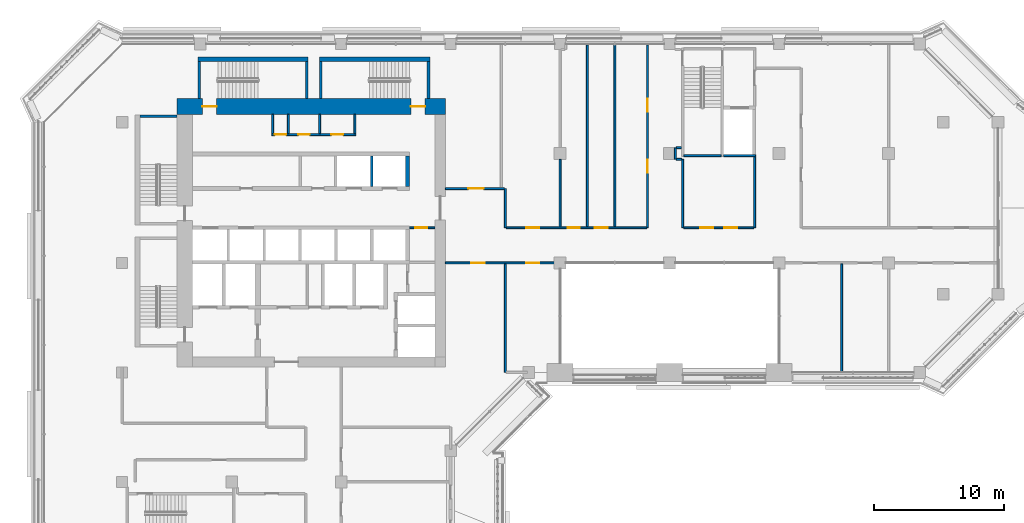
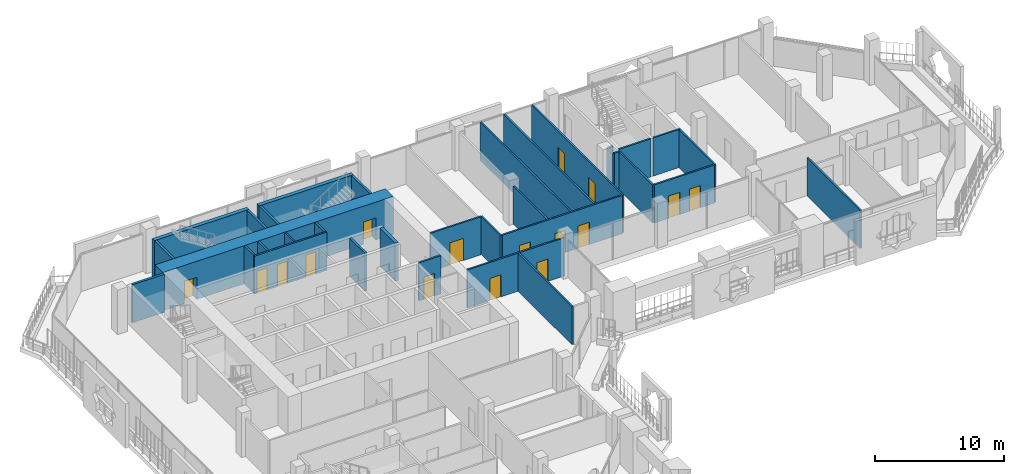
# One storey, part 14 of 23: 34 walls, 16 doors, 16 openings.
"""IFC4 building model written with IfcOpenShell, lengths in metres."""

from ifc_helpers import new_model, si_unit, direction, frame, frame_2d, origin, place, context, subcontext, project, spatial, rectangle, extrude, material, layer, layer_set, type_object, element, fill, save


model = new_model("IFC4")

# Units and contexts
model_context = context("Model", 3, precision=1e-05, world=origin(), true_north=direction((0.0, 1.0)))
body_context = subcontext(model_context, "Body", "Model", "MODEL_VIEW")
ifc_project = project(units=[si_unit("LENGTHUNIT", "METRE"), si_unit("AREAUNIT", "SQUARE_METRE"), si_unit("VOLUMEUNIT", "CUBIC_METRE"), si_unit("PLANEANGLEUNIT", "RADIAN"), si_unit("MASSUNIT", "GRAM", prefix="KILO")], contexts=[model_context])

# Site, building, storey
site_placement = place(None, origin())
site = spatial("IfcSite", under=ifc_project, at=site_placement, CompositionType="ELEMENT")
building_placement = place(site_placement, origin())
building = spatial("IfcBuilding", under=site, at=building_placement, Name="Kawkab Arch Medical Tower", CompositionType="ELEMENT")
storey_placement = place(building_placement, frame((0.0, 0.0, 222.199951171875)))
storey = spatial("IfcBuildingStorey", under=building, at=storey_placement, Name="L51", CompositionType="ELEMENT", Elevation=222.199951171875)

# Wall, openings, doors
ifc_material_1 = material(Name="Concrete C50/60", Category="concrete")
ifc_layer_1 = layer(ifc_material_1, 1.199951171875)
ifc_layer_set_1 = layer_set([ifc_layer_1], Name="Concrete C50/60")
wall_type_1 = type_object("IfcWallType", Name="Core ring wall 1200 C50/60", PredefinedType="SHEAR", material=ifc_layer_set_1)
wall_1_placement = place(storey_placement, frame((4.199951171875, -4.800048828125, 0.0), z_axis=(0.0, 0.0, 1.0), x_axis=(1.0, 0.0, 0.0)))
wall_1 = element("IfcWall", 1, at=wall_1_placement, inside=storey, type_object=wall_type_1, Name="L51 core wall", PredefinedType="SHEAR", context=body_context, shape_type="SweptSolid", body=[
    extrude(rectangle(XDim=20.60009765625, YDim=1.199951171875, at=frame_2d((10.300048828125, 0.0))), origin(), (0.0, 0.0, 1.0), 3.60009765625),
])
opening_1_placement = place(wall_1_placement, frame((1.949951171875, 0.0, 0.0)))
opening_1 = element("IfcOpeningElement", 2, at=opening_1_placement, cuts=wall_1, Name="Opening SD", PredefinedType="OPENING", context=body_context, shape_type="SweptSolid", body=[
    extrude(rectangle(XDim=1.10009765625, YDim=2.10009765625, at=frame_2d((0.550048828125, 1.050048828125))), frame((0.0, 0.60986328125, 0.0), z_axis=(0.0, -1.0, 0.0), x_axis=(1.0, 0.0, 0.0)), (0.0, 0.0, 1.0), 1.219970703125),
])
opening_2_placement = place(wall_1_placement, frame((17.949951171875, 0.0, 0.0)))
opening_2 = element("IfcOpeningElement", 3, at=opening_2_placement, cuts=wall_1, Name="Opening SD", PredefinedType="OPENING", context=body_context, shape_type="SweptSolid", body=[
    extrude(rectangle(XDim=1.10009765625, YDim=2.10009765625, at=frame_2d((0.550048828125, 1.050048828125))), frame((0.0, 0.60986328125, 0.0), z_axis=(0.0, -1.0, 0.0), x_axis=(1.0, 0.0, 0.0)), (0.0, 0.0, 1.0), 1.219970703125),
])
ifc_material_2 = material(Name="Hollow metal fire door leaf")
door_type_1 = type_object("IfcDoorType", Name="Exit stair door 1100", OperationType="SINGLE_SWING_LEFT", PredefinedType="DOOR", material=ifc_material_2)
door_1_placement = place(opening_1_placement, origin())
door_1 = element("IfcDoor", 4, at=door_1_placement, inside=storey, type_object=door_type_1, Name="L51 Exit stair ST3 door", OperationType="SINGLE_SWING_LEFT", OverallHeight=2.10009765625, OverallWidth=1.10009765625, PredefinedType="DOOR", context=body_context, shape_type="SweptSolid", body=[
    extrude(rectangle(XDim=1.10009765625, YDim=2.10009765625, at=frame_2d((0.550048828125, 1.050048828125))), frame((0.0, 0.02490234375, 0.0), z_axis=(0.0, -1.0, 0.0), x_axis=(1.0, 0.0, 0.0)), (0.0, 0.0, 1.0), 0.050048828125),
])
fill(opening_1, door_1)
door_2_placement = place(opening_2_placement, origin())
door_2 = element("IfcDoor", 5, at=door_2_placement, inside=storey, type_object=door_type_1, Name="L51 Exit stair ST4 door", OperationType="SINGLE_SWING_LEFT", OverallHeight=2.10009765625, OverallWidth=1.10009765625, PredefinedType="DOOR", context=body_context, shape_type="SweptSolid", body=[
    extrude(rectangle(XDim=1.10009765625, YDim=2.10009765625, at=frame_2d((0.550048828125, 1.050048828125))), frame((0.0, 0.02490234375, 0.0), z_axis=(0.0, -1.0, 0.0), x_axis=(1.0, 0.0, 0.0)), (0.0, 0.0, 1.0), 0.050048828125),
])
fill(opening_2, door_2)

# Wall, opening, door
ifc_material_3 = material(Name="Gypsum board on steel studs", Category="steel")
ifc_layer_2 = layer(ifc_material_3, 0.14990234375)
ifc_layer_set_2 = layer_set([ifc_layer_2], Name="Gypsum board on steel studs")
wall_type_2 = type_object("IfcWallType", Name="Core room partition 150", PredefinedType="PARTITIONING", material=ifc_layer_set_2)
wall_2_placement = place(storey_placement, frame((22.050048828125, -14.10009765625, 0.0), z_axis=(0.0, 0.0, 1.0), x_axis=(1.0, 0.0, 0.0)))
wall_2 = element("IfcWall", 6, at=wall_2_placement, inside=storey, type_object=wall_type_2, Name="L51 core room partition", PredefinedType="PARTITIONING", context=body_context, shape_type="SweptSolid", body=[
    extrude(rectangle(XDim=1.949951171875, YDim=0.14990234375, at=frame_2d((0.97509765625, 0.0))), origin(), (0.0, 0.0, 1.0), 3.60009765625),
])
opening_3_placement = place(wall_2_placement, frame((0.449951171875, 0.0, 0.0)))
opening_3 = element("IfcOpeningElement", 7, at=opening_3_placement, cuts=wall_2, Name="Opening RD", PredefinedType="OPENING", context=body_context, shape_type="SweptSolid", body=[
    extrude(rectangle(XDim=0.89990234375, YDim=2.10009765625, at=frame_2d((0.449951171875, 1.050048828125))), frame((0.0, 0.0849609375, 0.0), z_axis=(0.0, -1.0, 0.0), x_axis=(1.0, 0.0, 0.0)), (0.0, 0.0, 1.0), 0.169921875),
])
ifc_material_4 = material(Name="Hollow metal fire door leaf")
door_type_2 = type_object("IfcDoorType", Name="Core room door 900", OperationType="SINGLE_SWING_LEFT", PredefinedType="DOOR", material=ifc_material_4)
door_3_placement = place(opening_3_placement, origin())
door_3 = element("IfcDoor", 8, at=door_3_placement, inside=storey, type_object=door_type_2, Name="L51 Comms room door", OperationType="SINGLE_SWING_LEFT", OverallHeight=2.10009765625, OverallWidth=0.89990234375, PredefinedType="DOOR", context=body_context, shape_type="SweptSolid", body=[
    extrude(rectangle(XDim=0.89990234375, YDim=2.10009765625, at=frame_2d((0.449951171875, 1.050048828125))), frame((0.0, 0.02490234375, 0.0), z_axis=(0.0, -1.0, 0.0), x_axis=(1.0, 0.0, 0.0)), (0.0, 0.0, 1.0), 0.050048828125),
])
fill(opening_3, door_3)

# Wall, openings, doors
wall_3_placement = place(storey_placement, frame((11.47509765625, -6.949951171875, 0.0), z_axis=(0.0, 0.0, 1.0), x_axis=(1.0, 0.0, 0.0)))
wall_3 = element("IfcWall", 9, at=wall_3_placement, inside=storey, type_object=wall_type_2, Name="L51 core room partition", PredefinedType="PARTITIONING", context=body_context, shape_type="SweptSolid", body=[
    extrude(rectangle(XDim=6.449951171875, YDim=0.14990234375, at=frame_2d((3.22509765625, 0.0))), origin(), (0.0, 0.0, 1.0), 3.60009765625),
])
opening_4_placement = place(wall_3_placement, frame((0.22509765625, 0.0, 0.0)))
opening_4 = element("IfcOpeningElement", 10, at=opening_4_placement, cuts=wall_3, Name="Opening RD", PredefinedType="OPENING", context=body_context, shape_type="SweptSolid", body=[
    extrude(rectangle(XDim=0.89990234375, YDim=2.10009765625, at=frame_2d((0.449951171875, 1.050048828125))), frame((0.0, 0.0849609375, 0.0), z_axis=(0.0, -1.0, 0.0), x_axis=(1.0, 0.0, 0.0)), (0.0, 0.0, 1.0), 0.169921875),
])
opening_5_placement = place(wall_3_placement, frame((2.02490234375, 0.0, 0.0)))
opening_5 = element("IfcOpeningElement", 11, at=opening_5_placement, cuts=wall_3, Name="Opening RD", PredefinedType="OPENING", context=body_context, shape_type="SweptSolid", body=[
    extrude(rectangle(XDim=0.89990234375, YDim=2.10009765625, at=frame_2d((0.449951171875, 1.050048828125))), frame((0.0, 0.0849609375, 0.0), z_axis=(0.0, -1.0, 0.0), x_axis=(1.0, 0.0, 0.0)), (0.0, 0.0, 1.0), 0.169921875),
])
opening_6_placement = place(wall_3_placement, frame((4.574951171875, 0.0, 0.0)))
opening_6 = element("IfcOpeningElement", 12, at=opening_6_placement, cuts=wall_3, Name="Opening RD", PredefinedType="OPENING", context=body_context, shape_type="SweptSolid", body=[
    extrude(rectangle(XDim=0.89990234375, YDim=2.10009765625, at=frame_2d((0.449951171875, 1.050048828125))), frame((0.0, 0.0849609375, 0.0), z_axis=(0.0, -1.0, 0.0), x_axis=(1.0, 0.0, 0.0)), (0.0, 0.0, 1.0), 0.169921875),
])
door_4_placement = place(opening_4_placement, origin())
door_4 = element("IfcDoor", 13, at=door_4_placement, inside=storey, type_object=door_type_2, Name="L51 Electrical riser room door", OperationType="SINGLE_SWING_LEFT", OverallHeight=2.10009765625, OverallWidth=0.89990234375, PredefinedType="DOOR", context=body_context, shape_type="SweptSolid", body=[
    extrude(rectangle(XDim=0.89990234375, YDim=2.10009765625, at=frame_2d((0.449951171875, 1.050048828125))), frame((0.0, 0.02490234375, 0.0), z_axis=(0.0, -1.0, 0.0), x_axis=(1.0, 0.0, 0.0)), (0.0, 0.0, 1.0), 0.050048828125),
])
fill(opening_4, door_4)
door_5_placement = place(opening_5_placement, origin())
door_5 = element("IfcDoor", 14, at=door_5_placement, inside=storey, type_object=door_type_2, Name="L51 Linen store door", OperationType="SINGLE_SWING_LEFT", OverallHeight=2.10009765625, OverallWidth=0.89990234375, PredefinedType="DOOR", context=body_context, shape_type="SweptSolid", body=[
    extrude(rectangle(XDim=0.89990234375, YDim=2.10009765625, at=frame_2d((0.449951171875, 1.050048828125))), frame((0.0, 0.02490234375, 0.0), z_axis=(0.0, -1.0, 0.0), x_axis=(1.0, 0.0, 0.0)), (0.0, 0.0, 1.0), 0.050048828125),
])
fill(opening_5, door_5)
door_6_placement = place(opening_6_placement, origin())
door_6 = element("IfcDoor", 15, at=door_6_placement, inside=storey, type_object=door_type_2, Name="L51 Clean utility room door", OperationType="SINGLE_SWING_LEFT", OverallHeight=2.10009765625, OverallWidth=0.89990234375, PredefinedType="DOOR", context=body_context, shape_type="SweptSolid", body=[
    extrude(rectangle(XDim=0.89990234375, YDim=2.10009765625, at=frame_2d((0.449951171875, 1.050048828125))), frame((0.0, 0.02490234375, 0.0), z_axis=(0.0, -1.0, 0.0), x_axis=(1.0, 0.0, 0.0)), (0.0, 0.0, 1.0), 0.050048828125),
])
fill(opening_6, door_6)

# Walls
for number, where, z_axis, x_axis, name in (
    (16, (11.550048828125, -6.875, 0.0), (0.0, 0.0, 1.0), (0.0, 1.0, 0.0), "L51 core room partition"),
    (17, (12.75, -6.875, 0.0), (0.0, 0.0, 1.0), (0.0, 1.0, 0.0), "L51 core room partition"),
    (18, (15.14990234375, -6.875, 0.0), (0.0, 0.0, 1.0), (0.0, 1.0, 0.0), "L51 core room partition"),
    (19, (17.85009765625, -6.875, 0.0), (0.0, 0.0, 1.0), (0.0, 1.0, 0.0), "L51 core room partition"),
):
    element("IfcWall", number, at=place(storey_placement, frame(where, z_axis=z_axis, x_axis=x_axis)), inside=storey, type_object=wall_type_2, Name=name, PredefinedType="PARTITIONING", context=body_context, shape_type="SweptSolid", body=[
        extrude(rectangle(XDim=1.47509765625, YDim=0.14990234375, at=frame_2d((0.737548828125, 0.0))), origin(), (0.0, 0.0, 1.0), 3.60009765625),
    ])
ifc_material_5 = material(Name="Concrete C60/75", Category="concrete")
ifc_layer_3 = layer(ifc_material_5, 0.300048828125)
ifc_layer_set_3 = layer_set([ifc_layer_3], Name="Concrete C60/75")
wall_type_3 = type_object("IfcWallType", Name="Core shear wall 300 C60/75", PredefinedType="SHEAR", material=ifc_layer_set_3)
wall_4_placement = place(storey_placement, frame((21.89990234375, -10.949951171875, 0.0), z_axis=(0.0, 0.0, 1.0), x_axis=(0.0, 1.0, 0.0)))
element("IfcWall", 20, at=wall_4_placement, inside=storey, type_object=wall_type_3, Name="L51 core shear wall", PredefinedType="SHEAR", context=body_context, shape_type="SweptSolid", body=[
    extrude(rectangle(XDim=2.349853515625, YDim=0.300048828125, at=frame_2d((1.1748046875, 0.0))), origin(), (0.0, 0.0, 1.0), 3.60009765625),
])
ifc_material_6 = material(Name="Dense concrete blockwork", Category="masonry")
ifc_layer_4 = layer(ifc_material_6, 0.199951171875)
ifc_layer_set_4 = layer_set([ifc_layer_4], Name="Dense concrete blockwork")
wall_type_4 = type_object("IfcWallType", Name="Lift shaft partition 200", PredefinedType="PARTITIONING", material=ifc_layer_set_4)
wall_5_placement = place(storey_placement, frame((19.14990234375, -10.949951171875, 0.0), z_axis=(0.0, 0.0, 1.0), x_axis=(0.0, 1.0, 0.0)))
element("IfcWall", 21, at=wall_5_placement, inside=storey, type_object=wall_type_4, Name="L51 lift shaft partition", PredefinedType="PARTITIONING", context=body_context, shape_type="SweptSolid", body=[
    extrude(rectangle(XDim=2.349853515625, YDim=0.199951171875, at=frame_2d((1.1748046875, 0.0))), origin(), (0.0, 0.0, 1.0), 3.60009765625),
])

# Wall, openings, doors
ifc_material_7 = material(Name="Gypsum board partition on steel studs, mineral wool", Category="steel")
ifc_layer_5 = layer(ifc_material_7, 0.14990234375)
ifc_layer_set_5 = layer_set([ifc_layer_5], Name="Gypsum board partition on steel studs, mineral wool")
wall_type_5 = type_object("IfcWallType", Name="Partition 150", PredefinedType="PARTITIONING", material=ifc_layer_set_5)
wall_6_placement = place(storey_placement, frame((24.800048828125, -16.800048828125, 0.0), z_axis=(0.0, 0.0, 1.0), x_axis=(1.0, 0.0, 0.0)))
wall_6 = element("IfcWall", 22, at=wall_6_placement, inside=storey, type_object=wall_type_5, Name="Partition 150 w013", PredefinedType="PARTITIONING", context=body_context, shape_type="SweptSolid", body=[
    extrude(rectangle(XDim=8.719970703125, YDim=0.14990234375, at=frame_2d((4.35986328125, 0.0))), origin(), (0.0, 0.0, 1.0), 3.60009765625),
])
opening_7_placement = place(wall_6_placement, frame((2.0, 0.0, 0.0)))
opening_7 = element("IfcOpeningElement", 23, at=opening_7_placement, cuts=wall_6, Name="Opening B51-003", PredefinedType="OPENING", context=body_context, shape_type="SweptSolid", body=[
    extrude(rectangle(XDim=1.0, YDim=2.10009765625, at=frame_2d((0.5, 1.050048828125))), frame((0.0, 0.0849609375, 0.0), z_axis=(0.0, -1.0, 0.0), x_axis=(1.0, 0.0, 0.0)), (0.0, 0.0, 1.0), 0.169921875),
])
opening_8_placement = place(wall_6_placement, frame((6.199951171875, 0.0, 0.0)))
opening_8 = element("IfcOpeningElement", 24, at=opening_8_placement, cuts=wall_6, Name="Opening B51-011", PredefinedType="OPENING", context=body_context, shape_type="SweptSolid", body=[
    extrude(rectangle(XDim=1.0, YDim=2.10009765625, at=frame_2d((0.5, 1.050048828125))), frame((0.0, 0.0849609375, 0.0), z_axis=(0.0, -1.0, 0.0), x_axis=(1.0, 0.0, 0.0)), (0.0, 0.0, 1.0), 0.169921875),
])
ifc_material_8 = material(Name="Hollow metal door leaf")
door_type_3 = type_object("IfcDoorType", Name="Single door 1000x2100 FD30S", OperationType="NOTDEFINED", PredefinedType="DOOR", material=ifc_material_8)
door_7_placement = place(opening_7_placement, origin())
door_7 = element("IfcDoor", 25, at=door_7_placement, inside=storey, type_object=door_type_3, Name="Door B51-003", OperationType="SINGLE_SWING_RIGHT", OverallHeight=2.10009765625, OverallWidth=1.0, PredefinedType="DOOR", context=body_context, shape_type="SweptSolid", body=[
    extrude(rectangle(XDim=1.0, YDim=2.10009765625, at=frame_2d((0.5, 1.050048828125))), frame((0.0, 0.02490234375, 0.0), z_axis=(0.0, -1.0, 0.0), x_axis=(1.0, 0.0, 0.0)), (0.0, 0.0, 1.0), 0.050048828125),
])
fill(opening_7, door_7)
door_8_placement = place(opening_8_placement, origin())
door_8 = element("IfcDoor", 26, at=door_8_placement, inside=storey, type_object=door_type_3, Name="Door B51-011", OperationType="SINGLE_SWING_LEFT", OverallHeight=2.10009765625, OverallWidth=1.0, PredefinedType="DOOR", context=body_context, shape_type="SweptSolid", body=[
    extrude(rectangle(XDim=1.0, YDim=2.10009765625, at=frame_2d((0.5, 1.050048828125))), frame((0.0, 0.02490234375, 0.0), z_axis=(0.0, -1.0, 0.0), x_axis=(1.0, 0.0, 0.0)), (0.0, 0.0, 1.0), 0.050048828125),
])
fill(opening_8, door_8)

wall_7_placement = place(storey_placement, frame((29.47509765625, -14.10009765625, 0.0), z_axis=(0.0, 0.0, 1.0), x_axis=(1.0, 0.0, 0.0)))
wall_7 = element("IfcWall", 27, at=wall_7_placement, inside=storey, type_object=wall_type_5, Name="Partition 150 w015", PredefinedType="PARTITIONING", context=body_context, shape_type="SweptSolid", body=[
    extrude(rectangle(XDim=10.7568359375, YDim=0.14990234375, at=frame_2d((5.37841796875, 0.0))), origin(), (0.0, 0.0, 1.0), 3.60009765625),
])
opening_9_placement = place(wall_7_placement, frame((1.52490234375, 0.0, 0.0)))
opening_9 = element("IfcOpeningElement", 28, at=opening_9_placement, cuts=wall_7, Name="Opening B51-004", PredefinedType="OPENING", context=body_context, shape_type="SweptSolid", body=[
    extrude(rectangle(XDim=1.0, YDim=2.10009765625, at=frame_2d((0.5, 1.050048828125))), frame((0.0, 0.0849609375, 0.0), z_axis=(0.0, -1.0, 0.0), x_axis=(1.0, 0.0, 0.0)), (0.0, 0.0, 1.0), 0.169921875),
])
opening_10_placement = place(wall_7_placement, frame((4.72509765625, 0.0, 0.0)))
opening_10 = element("IfcOpeningElement", 29, at=opening_10_placement, cuts=wall_7, Name="Opening B51-001", PredefinedType="OPENING", context=body_context, shape_type="SweptSolid", body=[
    extrude(rectangle(XDim=0.89990234375, YDim=2.10009765625, at=frame_2d((0.449951171875, 1.050048828125))), frame((0.0, 0.0849609375, 0.0), z_axis=(0.0, -1.0, 0.0), x_axis=(1.0, 0.0, 0.0)), (0.0, 0.0, 1.0), 0.169921875),
])
opening_11_placement = place(wall_7_placement, frame((6.77490234375, 0.0, 0.0)))
opening_11 = element("IfcOpeningElement", 30, at=opening_11_placement, cuts=wall_7, Name="Opening B51-002", PredefinedType="OPENING", context=body_context, shape_type="SweptSolid", body=[
    extrude(rectangle(XDim=1.0, YDim=2.10009765625, at=frame_2d((0.5, 1.050048828125))), frame((0.0, 0.0849609375, 0.0), z_axis=(0.0, -1.0, 0.0), x_axis=(1.0, 0.0, 0.0)), (0.0, 0.0, 1.0), 0.169921875),
])
ifc_material_9 = material(Name="Timber door leaf", Category="wood")
door_type_4 = type_object("IfcDoorType", Name="Single door 1000x2100", OperationType="NOTDEFINED", PredefinedType="DOOR", material=ifc_material_9)
door_9_placement = place(opening_11_placement, origin())
door_9 = element("IfcDoor", 31, at=door_9_placement, inside=storey, type_object=door_type_4, Name="Door B51-002", OperationType="SINGLE_SWING_RIGHT", OverallHeight=2.10009765625, OverallWidth=1.0, PredefinedType="DOOR", context=body_context, shape_type="SweptSolid", body=[
    extrude(rectangle(XDim=1.0, YDim=2.10009765625, at=frame_2d((0.5, 1.050048828125))), frame((0.0, 0.02490234375, 0.0), z_axis=(0.0, -1.0, 0.0), x_axis=(1.0, 0.0, 0.0)), (0.0, 0.0, 1.0), 0.050048828125),
])
fill(opening_11, door_9)
door_10_placement = place(opening_9_placement, origin())
door_10 = element("IfcDoor", 32, at=door_10_placement, inside=storey, type_object=door_type_3, Name="Door B51-004", OperationType="SINGLE_SWING_LEFT", OverallHeight=2.10009765625, OverallWidth=1.0, PredefinedType="DOOR", context=body_context, shape_type="SweptSolid", body=[
    extrude(rectangle(XDim=1.0, YDim=2.10009765625, at=frame_2d((0.5, 1.050048828125))), frame((0.0, 0.02490234375, 0.0), z_axis=(0.0, -1.0, 0.0), x_axis=(1.0, 0.0, 0.0)), (0.0, 0.0, 1.0), 0.050048828125),
])
fill(opening_9, door_10)
ifc_material_10 = material(Name="Timber door leaf", Category="wood")
door_type_5 = type_object("IfcDoorType", Name="Single door 900x2100", OperationType="NOTDEFINED", PredefinedType="DOOR", material=ifc_material_10)
door_11_placement = place(opening_10_placement, origin())
door_11 = element("IfcDoor", 33, at=door_11_placement, inside=storey, type_object=door_type_5, Name="Door B51-001", OperationType="SINGLE_SWING_RIGHT", OverallHeight=2.10009765625, OverallWidth=0.89990234375, PredefinedType="DOOR", context=body_context, shape_type="SweptSolid", body=[
    extrude(rectangle(XDim=0.89990234375, YDim=2.10009765625, at=frame_2d((0.449951171875, 1.050048828125))), frame((0.0, 0.02490234375, 0.0), z_axis=(0.0, -1.0, 0.0), x_axis=(1.0, 0.0, 0.0)), (0.0, 0.0, 1.0), 0.050048828125),
])
fill(opening_10, door_11)

wall_8_placement = place(storey_placement, frame((43.074951171875, -14.10009765625, 0.0), z_axis=(0.0, 0.0, 1.0), x_axis=(1.0, 0.0, 0.0)))
wall_8 = element("IfcWall", 34, at=wall_8_placement, inside=storey, type_object=wall_type_5, Name="Partition 150 w016", PredefinedType="PARTITIONING", context=body_context, shape_type="SweptSolid", body=[
    extrude(rectangle(XDim=5.375, YDim=0.14990234375, at=frame_2d((2.6875, 0.0))), origin(), (0.0, 0.0, 1.0), 3.60009765625),
])
opening_12_placement = place(wall_8_placement, frame((1.26708984375, 0.0, 0.0)))
opening_12 = element("IfcOpeningElement", 35, at=opening_12_placement, cuts=wall_8, Name="Opening B51-005", PredefinedType="OPENING", context=body_context, shape_type="SweptSolid", body=[
    extrude(rectangle(XDim=1.0, YDim=2.10009765625, at=frame_2d((0.5, 1.050048828125))), frame((0.0, 0.0849609375, 0.0), z_axis=(0.0, -1.0, 0.0), x_axis=(1.0, 0.0, 0.0)), (0.0, 0.0, 1.0), 0.169921875),
])
opening_13_placement = place(wall_8_placement, frame((3.10791015625, 0.0, 0.0)))
opening_13 = element("IfcOpeningElement", 36, at=opening_13_placement, cuts=wall_8, Name="Opening B51-006", PredefinedType="OPENING", context=body_context, shape_type="SweptSolid", body=[
    extrude(rectangle(XDim=1.0, YDim=2.10009765625, at=frame_2d((0.5, 1.050048828125))), frame((0.0, 0.0849609375, 0.0), z_axis=(0.0, -1.0, 0.0), x_axis=(1.0, 0.0, 0.0)), (0.0, 0.0, 1.0), 0.169921875),
])
door_12_placement = place(opening_12_placement, origin())
door_12 = element("IfcDoor", 37, at=door_12_placement, inside=storey, type_object=door_type_3, Name="Door B51-005", OperationType="SINGLE_SWING_LEFT", OverallHeight=2.10009765625, OverallWidth=1.0, PredefinedType="DOOR", context=body_context, shape_type="SweptSolid", body=[
    extrude(rectangle(XDim=1.0, YDim=2.10009765625, at=frame_2d((0.5, 1.050048828125))), frame((0.0, 0.02490234375, 0.0), z_axis=(0.0, -1.0, 0.0), x_axis=(1.0, 0.0, 0.0)), (0.0, 0.0, 1.0), 0.050048828125),
])
fill(opening_12, door_12)
door_13_placement = place(opening_13_placement, origin())
door_13 = element("IfcDoor", 38, at=door_13_placement, inside=storey, type_object=door_type_3, Name="Door B51-006", OperationType="SINGLE_SWING_RIGHT", OverallHeight=2.10009765625, OverallWidth=1.0, PredefinedType="DOOR", context=body_context, shape_type="SweptSolid", body=[
    extrude(rectangle(XDim=1.0, YDim=2.10009765625, at=frame_2d((0.5, 1.050048828125))), frame((0.0, 0.02490234375, 0.0), z_axis=(0.0, -1.0, 0.0), x_axis=(1.0, 0.0, 0.0)), (0.0, 0.0, 1.0), 0.050048828125),
])
fill(opening_13, door_13)

# Wall, opening, door
wall_9_placement = place(storey_placement, frame((24.800048828125, -11.10009765625, 0.0), z_axis=(0.0, 0.0, 1.0), x_axis=(1.0, 0.0, 0.0)))
wall_9 = element("IfcWall", 39, at=wall_9_placement, inside=storey, type_object=wall_type_5, Name="Partition 150 w018", PredefinedType="PARTITIONING", context=body_context, shape_type="SweptSolid", body=[
    extrude(rectangle(XDim=4.52294921875, YDim=0.14990234375, at=frame_2d((2.261474609375, 0.0))), origin(), (0.0, 0.0, 1.0), 3.60009765625),
])
opening_14_placement = place(wall_9_placement, frame((1.75, 0.0, 0.0)))
opening_14 = element("IfcOpeningElement", 40, at=opening_14_placement, cuts=wall_9, Name="Opening B51-027", PredefinedType="OPENING", context=body_context, shape_type="SweptSolid", body=[
    extrude(rectangle(XDim=1.199951171875, YDim=2.10009765625, at=frame_2d((0.60009765625, 1.050048828125))), frame((0.0, 0.0849609375, 0.0), z_axis=(0.0, -1.0, 0.0), x_axis=(1.0, 0.0, 0.0)), (0.0, 0.0, 1.0), 0.169921875),
])
ifc_material_11 = material(Name="Hollow metal door leaf")
door_type_6 = type_object("IfcDoorType", Name="Single door 1200x2100 FD30S", OperationType="NOTDEFINED", PredefinedType="DOOR", material=ifc_material_11)
door_14_placement = place(opening_14_placement, origin())
door_14 = element("IfcDoor", 41, at=door_14_placement, inside=storey, type_object=door_type_6, Name="Door B51-027", OperationType="SINGLE_SWING_RIGHT", OverallHeight=2.10009765625, OverallWidth=1.199951171875, PredefinedType="DOOR", context=body_context, shape_type="SweptSolid", body=[
    extrude(rectangle(XDim=1.199951171875, YDim=2.10009765625, at=frame_2d((0.60009765625, 1.050048828125))), frame((0.0, 0.02490234375, 0.0), z_axis=(0.0, -1.0, 0.0), x_axis=(1.0, 0.0, 0.0)), (0.0, 0.0, 1.0), 0.050048828125),
])
fill(opening_14, door_14)

# Walls
wall_10_placement = place(storey_placement, frame((42.52490234375, -8.85009765625, 0.0), z_axis=(0.0, 0.0, 1.0), x_axis=(1.0, 0.0, 0.0)))
element("IfcWall", 42, at=wall_10_placement, inside=storey, type_object=wall_type_5, Name="Partition 150 w019", PredefinedType="PARTITIONING", context=body_context, shape_type="SweptSolid", body=[
    extrude(rectangle(XDim=0.400146484375, YDim=0.14990234375, at=frame_2d((0.2001953125, 0.0))), origin(), (0.0, 0.0, 1.0), 3.60009765625),
])
wall_11_placement = place(storey_placement, frame((42.52587890625, -7.949951171875, 0.0), z_axis=(0.0, 0.0, 1.0), x_axis=(1.0, 0.0, 0.0)))
element("IfcWall", 43, at=wall_11_placement, inside=storey, type_object=wall_type_5, Name="Partition 150 w020", PredefinedType="PARTITIONING", context=body_context, shape_type="SweptSolid", body=[
    extrude(rectangle(XDim=0.3740234375, YDim=0.14990234375, at=frame_2d((0.18701171875, 0.0))), origin(), (0.0, 0.0, 1.0), 3.60009765625),
])
wall_12_placement = place(storey_placement, frame((29.39990234375, -25.199951171875, 0.0), z_axis=(0.0, 0.0, 1.0), x_axis=(0.0, 1.0, 0.0)))
element("IfcWall", 44, at=wall_12_placement, inside=storey, type_object=wall_type_5, Name="Partition 150 w035", PredefinedType="PARTITIONING", context=body_context, shape_type="SweptSolid", body=[
    extrude(rectangle(XDim=8.324951171875, YDim=0.14990234375, at=frame_2d((4.16259765625, 0.0))), origin(), (0.0, 0.0, 1.0), 3.60009765625),
])
wall_13_placement = place(storey_placement, frame((29.39990234375, -14.10009765625, 0.0), z_axis=(0.0, 0.0, 1.0), x_axis=(0.0, 1.0, 0.0)))
element("IfcWall", 45, at=wall_13_placement, inside=storey, type_object=wall_type_5, Name="Partition 150 w036", PredefinedType="PARTITIONING", context=body_context, shape_type="SweptSolid", body=[
    extrude(rectangle(XDim=2.998046875, YDim=0.14990234375, at=frame_2d((1.4990234375, 0.0))), origin(), (0.0, 0.0, 1.0), 3.60009765625),
])
wall_14_placement = place(storey_placement, frame((33.60009765625, -14.02490234375, 0.0), z_axis=(0.0, 0.0, 1.0), x_axis=(0.0, 1.0, 0.0)))
element("IfcWall", 46, at=wall_14_placement, inside=storey, type_object=wall_type_5, Name="Partition 150 w037", PredefinedType="PARTITIONING", context=body_context, shape_type="SweptSolid", body=[
    extrude(rectangle(XDim=5.1748046875, YDim=0.14990234375, at=frame_2d((2.58740234375, 0.0))), origin(), (0.0, 0.0, 1.0), 3.60009765625),
])
for number, where, z_axis, x_axis, name in (
    (47, (35.699951171875, -14.02490234375, 0.0), (0.0, 0.0, 1.0), (0.0, 1.0, 0.0), "Partition 150 w040"),
    (48, (37.800048828125, -14.02490234375, 0.0), (0.0, 0.0, 1.0), (0.0, 1.0, 0.0), "Partition 150 w041"),
):
    element("IfcWall", number, at=place(storey_placement, frame(where, z_axis=z_axis, x_axis=x_axis)), inside=storey, type_object=wall_type_5, Name=name, PredefinedType="PARTITIONING", context=body_context, shape_type="SweptSolid", body=[
        extrude(rectangle(XDim=13.94482421875, YDim=0.14990234375, at=frame_2d((6.972412109375, 0.0))), origin(), (0.0, 0.0, 1.0), 3.60009765625),
    ])

# Wall, openings, doors
wall_15_placement = place(storey_placement, frame((40.306884765625, -14.10009765625, 0.0), z_axis=(0.0, 0.0, 1.0), x_axis=(0.0, 1.0, 0.0)))
wall_15 = element("IfcWall", 49, at=wall_15_placement, inside=storey, type_object=wall_type_5, Name="Partition 150 w042", PredefinedType="PARTITIONING", context=body_context, shape_type="SweptSolid", body=[
    extrude(rectangle(XDim=14.02001953125, YDim=0.14990234375, at=frame_2d((7.010009765625, 0.0))), origin(), (0.0, 0.0, 1.0), 3.60009765625),
])
opening_15_placement = place(wall_15_placement, frame((4.199951171875, 0.0, 0.0)))
opening_15 = element("IfcOpeningElement", 50, at=opening_15_placement, cuts=wall_15, Name="Opening B51-024", PredefinedType="OPENING", context=body_context, shape_type="SweptSolid", body=[
    extrude(rectangle(XDim=1.0, YDim=2.10009765625, at=frame_2d((0.5, 1.050048828125))), frame((0.0, 0.0849609375, 0.0), z_axis=(0.0, -1.0, 0.0), x_axis=(1.0, 0.0, 0.0)), (0.0, 0.0, 1.0), 0.169921875),
])
opening_16_placement = place(wall_15_placement, frame((8.89990234375, 0.0, 0.0)))
opening_16 = element("IfcOpeningElement", 51, at=opening_16_placement, cuts=wall_15, Name="Opening B51-025", PredefinedType="OPENING", context=body_context, shape_type="SweptSolid", body=[
    extrude(rectangle(XDim=1.0, YDim=2.10009765625, at=frame_2d((0.5, 1.050048828125))), frame((0.0, 0.0849609375, 0.0), z_axis=(0.0, -1.0, 0.0), x_axis=(1.0, 0.0, 0.0)), (0.0, 0.0, 1.0), 0.169921875),
])
door_15_placement = place(opening_15_placement, origin())
door_15 = element("IfcDoor", 52, at=door_15_placement, inside=storey, type_object=door_type_3, Name="Door B51-024", OperationType="SINGLE_SWING_LEFT", OverallHeight=2.10009765625, OverallWidth=1.0, PredefinedType="DOOR", context=body_context, shape_type="SweptSolid", body=[
    extrude(rectangle(XDim=1.0, YDim=2.10009765625, at=frame_2d((0.5, 1.050048828125))), frame((0.0, 0.02490234375, 0.0), z_axis=(0.0, -1.0, 0.0), x_axis=(1.0, 0.0, 0.0)), (0.0, 0.0, 1.0), 0.050048828125),
])
fill(opening_15, door_15)
door_16_placement = place(opening_16_placement, origin())
door_16 = element("IfcDoor", 53, at=door_16_placement, inside=storey, type_object=door_type_3, Name="Door B51-025", OperationType="SINGLE_SWING_RIGHT", OverallHeight=2.10009765625, OverallWidth=1.0, PredefinedType="DOOR", context=body_context, shape_type="SweptSolid", body=[
    extrude(rectangle(XDim=1.0, YDim=2.10009765625, at=frame_2d((0.5, 1.050048828125))), frame((0.0, 0.02490234375, 0.0), z_axis=(0.0, -1.0, 0.0), x_axis=(1.0, 0.0, 0.0)), (0.0, 0.0, 1.0), 0.050048828125),
])
fill(opening_16, door_16)

# Walls
wall_16_placement = place(storey_placement, frame((42.449951171875, -8.85009765625, 0.0), z_axis=(0.0, 0.0, 1.0), x_axis=(0.0, 1.0, 0.0)))
element("IfcWall", 54, at=wall_16_placement, inside=storey, type_object=wall_type_5, Name="Partition 150 w043", PredefinedType="PARTITIONING", context=body_context, shape_type="SweptSolid", body=[
    extrude(rectangle(XDim=0.899169921875, YDim=0.14990234375, at=frame_2d((0.44970703125, 0.0))), origin(), (0.0, 0.0, 1.0), 3.60009765625),
])
wall_17_placement = place(storey_placement, frame((43.0, -14.10009765625, 0.0), z_axis=(0.0, 0.0, 1.0), x_axis=(0.0, 1.0, 0.0)))
element("IfcWall", 55, at=wall_17_placement, inside=storey, type_object=wall_type_5, Name="Partition 150 w044", PredefinedType="PARTITIONING", context=body_context, shape_type="SweptSolid", body=[
    extrude(rectangle(XDim=5.25, YDim=0.14990234375, at=frame_2d((2.625, 0.0))), origin(), (0.0, 0.0, 1.0), 3.60009765625),
])
wall_18_placement = place(storey_placement, frame((48.52490234375, -14.10009765625, 0.0), z_axis=(0.0, 0.0, 1.0), x_axis=(0.0, 1.0, 0.0)))
element("IfcWall", 56, at=wall_18_placement, inside=storey, type_object=wall_type_5, Name="Partition 150 w045", PredefinedType="PARTITIONING", context=body_context, shape_type="SweptSolid", body=[
    extrude(rectangle(XDim=5.4501953125, YDim=0.14990234375, at=frame_2d((2.72509765625, 0.0))), origin(), (0.0, 0.0, 1.0), 3.60009765625),
])
wall_19_placement = place(storey_placement, frame((55.199951171875, -25.1201171875, 0.0), z_axis=(0.0, 0.0, 1.0), x_axis=(0.0, 1.0, 0.0)))
element("IfcWall", 57, at=wall_19_placement, inside=storey, type_object=wall_type_5, Name="Partition 150 w047", PredefinedType="PARTITIONING", context=body_context, shape_type="SweptSolid", body=[
    extrude(rectangle(XDim=8.2451171875, YDim=0.14990234375, at=frame_2d((4.12255859375, 0.0))), origin(), (0.0, 0.0, 1.0), 3.60009765625),
])
ifc_material_12 = material(Name="Concrete C50/60", Category="concrete")
ifc_layer_6 = layer(ifc_material_12, 0.14990234375)
ifc_layer_set_6 = layer_set([ifc_layer_6], Name="Concrete C50/60")
wall_type_6 = type_object("IfcWallType", Name="Stair enclosure wall 150 C50/60", PredefinedType="SHEAR", material=ifc_layer_set_6)
wall_20_placement = place(storey_placement, frame((43.10009765625, -8.574951171875, 0.0), z_axis=(0.0, 0.0, 1.0), x_axis=(1.0, 0.0, 0.0)))
element("IfcWall", 58, at=wall_20_placement, inside=storey, type_object=wall_type_6, Name="L51 stair enclosure wall", PredefinedType="SHEAR", context=body_context, shape_type="SweptSolid", body=[
    extrude(rectangle(XDim=2.849853515625, YDim=0.14990234375, at=frame_2d((1.4248046875, 0.0))), origin(), (0.0, 0.0, 1.0), 3.60009765625),
])
wall_21_placement = place(storey_placement, frame((46.14990234375, -8.574951171875, 0.0), z_axis=(0.0, 0.0, 1.0), x_axis=(1.0, 0.0, 0.0)))
element("IfcWall", 59, at=wall_21_placement, inside=storey, type_object=wall_type_6, Name="L51 stair enclosure wall", PredefinedType="SHEAR", context=body_context, shape_type="SweptSolid", body=[
    extrude(rectangle(XDim=2.4501953125, YDim=0.14990234375, at=frame_2d((1.22509765625, 0.0))), origin(), (0.0, 0.0, 1.0), 3.60009765625),
])
ifc_material_13 = material(Name="Concrete C50/60", Category="concrete")
ifc_layer_7 = layer(ifc_material_13, 0.199951171875)
ifc_layer_set_7 = layer_set([ifc_layer_7], Name="Concrete C50/60")
wall_type_7 = type_object("IfcWallType", Name="Stair enclosure wall 200 C50/60", PredefinedType="SHEAR", material=ifc_layer_set_7)
for number, where, z_axis, x_axis, name in (
    (60, (1.35009765625, -5.550048828125, 0.0), (0.0, 0.0, 1.0), (1.0, 0.0, 0.0), "L51 stair enclosure wall"),
    (61, (5.89990234375, -4.199951171875, 0.0), (0.0, 0.0, 1.0), (0.0, 1.0, 0.0), "L51 stair enclosure wall"),
    (62, (14.14990234375, -4.199951171875, 0.0), (0.0, 0.0, 1.0), (0.0, 1.0, 0.0), "L51 stair enclosure wall"),
    (63, (15.25, -4.199951171875, 0.0), (0.0, 0.0, 1.0), (0.0, 1.0, 0.0), "L51 stair enclosure wall"),
    (64, (23.5, -4.199951171875, 0.0), (0.0, 0.0, 1.0), (0.0, 1.0, 0.0), "L51 stair enclosure wall"),
):
    element("IfcWall", number, at=place(storey_placement, frame(where, z_axis=z_axis, x_axis=x_axis)), inside=storey, type_object=wall_type_7, Name=name, PredefinedType="SHEAR", context=body_context, shape_type="SweptSolid", body=[
        extrude(rectangle(XDim=2.849853515625, YDim=0.199951171875, at=frame_2d((1.4248046875, 0.0))), origin(), (0.0, 0.0, 1.0), 3.60009765625),
    ])
ifc_material_14 = material(Name="Concrete C50/60", Category="concrete")
ifc_layer_8 = layer(ifc_material_14, 0.35009765625)
ifc_layer_set_8 = layer_set([ifc_layer_8], Name="Concrete C50/60")
wall_type_8 = type_object("IfcWallType", Name="Stair enclosure wall 350 C50/60", PredefinedType="SHEAR", material=ifc_layer_set_8)
wall_22_placement = place(storey_placement, frame((5.800048828125, -1.175048828125, 0.0), z_axis=(0.0, 0.0, 1.0), x_axis=(1.0, 0.0, 0.0)))
element("IfcWall", 65, at=wall_22_placement, inside=storey, type_object=wall_type_8, Name="L51 stair enclosure wall", PredefinedType="SHEAR", context=body_context, shape_type="SweptSolid", body=[
    extrude(rectangle(XDim=8.449951171875, YDim=0.35009765625, at=frame_2d((4.22509765625, 0.0))), origin(), (0.0, 0.0, 1.0), 3.60009765625),
])
wall_23_placement = place(storey_placement, frame((15.14990234375, -1.175048828125, 0.0), z_axis=(0.0, 0.0, 1.0), x_axis=(1.0, 0.0, 0.0)))
element("IfcWall", 66, at=wall_23_placement, inside=storey, type_object=wall_type_8, Name="L51 stair enclosure wall", PredefinedType="SHEAR", context=body_context, shape_type="SweptSolid", body=[
    extrude(rectangle(XDim=8.4501953125, YDim=0.35009765625, at=frame_2d((4.22509765625, 0.0))), origin(), (0.0, 0.0, 1.0), 3.60009765625),
])

save(model, "model.ifc")
